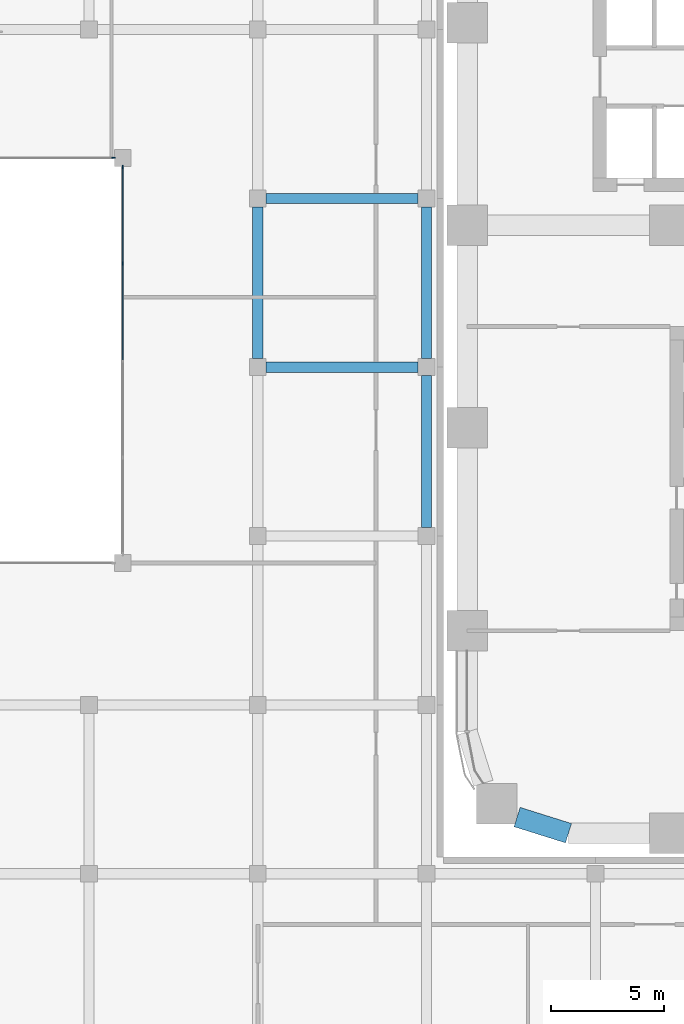
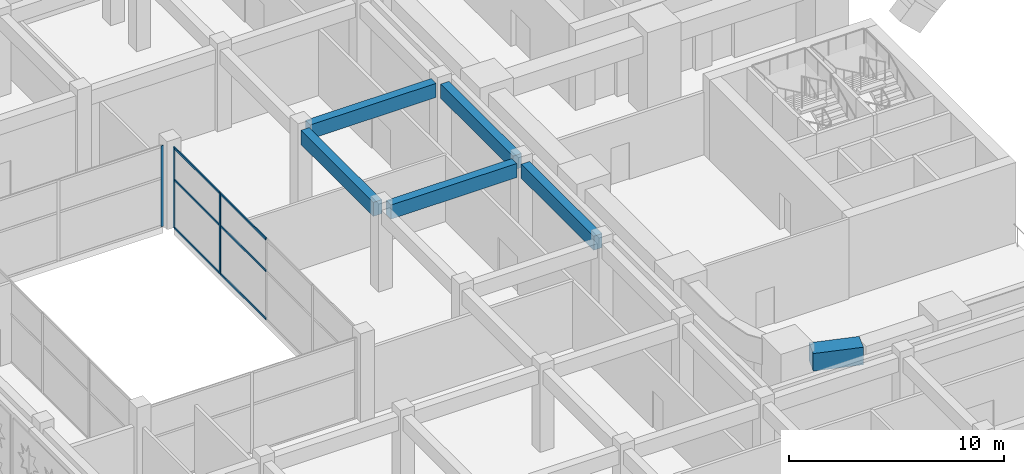
# One storey, part 4 of 40: 9 members, 6 beams, 2 elements without a shape of their own.
"""IFC4 building model written with IfcOpenShell, lengths in metres."""

from ifc_helpers import new_model, si_unit, direction, frame, origin, origin_2d, place, context, subcontext, project, spatial, rectangle, extrude, material, layer, layer_set, material_profile, profile_set, type_object, element, aggregate, save


model = new_model("IFC4")

# Units and contexts
model_context = context("Model", 3, precision=1e-05, world=origin(), true_north=direction((0.0, 1.0)))
body_context = subcontext(model_context, "Body", "Model", "MODEL_VIEW")
ifc_project = project(units=[si_unit("LENGTHUNIT", "METRE"), si_unit("AREAUNIT", "SQUARE_METRE"), si_unit("VOLUMEUNIT", "CUBIC_METRE"), si_unit("PLANEANGLEUNIT", "RADIAN"), si_unit("MASSUNIT", "GRAM", prefix="KILO")], contexts=[model_context])

# Site, building, storey
site_placement = place(None, origin())
site = spatial("IfcSite", under=ifc_project, at=site_placement, CompositionType="ELEMENT")
building_placement = place(site_placement, origin())
building = spatial("IfcBuilding", under=site, at=building_placement, Name="Tessera Arch", CompositionType="ELEMENT")
storey_placement = place(building_placement, frame((0.0, 0.0, 21.0)))
storey = spatial("IfcBuildingStorey", under=building, at=storey_placement, Name="L03", CompositionType="ELEMENT", Elevation=21.0)

# Curtain wall, members
ifc_material_1 = material(Name="Aluminium and clear glass", Category="aluminium")
ifc_layer = layer(ifc_material_1, 0.1201171875)
ifc_layer_set = layer_set([ifc_layer], Name="Courtyard curtain wall")
curtain_wall_type = type_object("IfcCurtainWallType", Name="Courtyard curtain wall", PredefinedType="NOTDEFINED", material=ifc_layer_set)
curtain_wall_1_placement = place(storey_placement, origin())
curtain_wall_1 = element("IfcCurtainWall", 1, at=curtain_wall_1_placement, inside=storey, type_object=curtain_wall_type, Name="Courtyard curtain wall L03 2", PredefinedType="NOTDEFINED")
ifc_material_2 = material(Name="Aluminium alloy anodised", Category="aluminium")
ifc_material_profile_1 = material_profile(ifc_material_2, rectangle(XDim=0.06005859375, YDim=0.14990234375, at=origin_2d()), Name="Courtyard mullion")
ifc_profile_set_1 = profile_set([ifc_material_profile_1], Name="Aluminium alloy anodised")
member_type_1 = type_object("IfcMemberType", Name="Courtyard mullion", PredefinedType="MULLION", material=ifc_profile_set_1)
member_1_placement = place(storey_placement, frame((-15.300048828125, 25.3125, 0.0), z_axis=(0.0, 0.0, 1.0), x_axis=(-1.0, 0.0, 0.0)))
member_1 = element("IfcMember", 2, at=member_1_placement, type_object=member_type_1, Name="MCW1 mullion 4", PredefinedType="MULLION", context=body_context, shape_type="SweptSolid", body=[
    extrude(rectangle(XDim=0.06005859375, YDim=0.14990234375, at=origin_2d()), origin(), (0.0, 0.0, 1.0), 4.590087890625),
])
member_2_placement = place(storey_placement, frame((-15.300048828125, 29.594970703125, 0.0), z_axis=(0.0, 0.0, 1.0), x_axis=(-1.0, 0.0, 0.0)))
member_2 = element("IfcMember", 3, at=member_2_placement, type_object=member_type_1, Name="MCW1 mullion 5", PredefinedType="MULLION", context=body_context, shape_type="SweptSolid", body=[
    extrude(rectangle(XDim=0.06005859375, YDim=0.14990234375, at=origin_2d()), origin(), (0.0, 0.0, 1.0), 4.590087890625),
])

# Curtain wall, member
curtain_wall_2_placement = place(storey_placement, origin())
curtain_wall_2 = element("IfcCurtainWall", 4, at=curtain_wall_2_placement, inside=storey, type_object=curtain_wall_type, Name="Courtyard curtain wall L03 3", PredefinedType="NOTDEFINED")
member_3_placement = place(storey_placement, frame((-15.705078125, 30.0, 0.0), z_axis=(0.0, 0.0, 1.0), x_axis=(0.0, -1.0, 0.0)))
member_3 = element("IfcMember", 5, at=member_3_placement, type_object=member_type_1, Name="MCW1 mullion 1", PredefinedType="MULLION", context=body_context, shape_type="SweptSolid", body=[
    extrude(rectangle(XDim=0.06005859375, YDim=0.14990234375, at=origin_2d()), origin(), (0.0, 0.0, 1.0), 4.590087890625),
])
aggregate(curtain_wall_2, [member_3])

# Member
ifc_material_3 = material(Name="Aluminium alloy anodised", Category="aluminium")
ifc_material_profile_2 = material_profile(ifc_material_3, rectangle(XDim=0.06005859375, YDim=0.1201171875, at=origin_2d()), Name="Courtyard transom")
ifc_profile_set_2 = profile_set([ifc_material_profile_2], Name="Aluminium alloy anodised")
member_type_2 = type_object("IfcMemberType", Name="Courtyard transom", PredefinedType="USERDEFINED", material=ifc_profile_set_2)
member_4_placement = place(storey_placement, frame((-15.300048828125, 21.030029296875, 0.030029296875), z_axis=(0.0, 1.0, 0.0), x_axis=(-1.0, 0.0, 0.0)))
member_4 = element("IfcMember", 6, at=member_4_placement, type_object=member_type_2, Name="MCW1 transom 3.1", ObjectType="TRANSOM", PredefinedType="USERDEFINED", context=body_context, shape_type="SweptSolid", body=[
    extrude(rectangle(XDim=0.06005859375, YDim=0.1201171875, at=origin_2d()), origin(), (0.0, 0.0, 1.0), 4.25244140625),
])

member_5_placement = place(storey_placement, frame((-15.300048828125, 21.030029296875, 2.75390625), z_axis=(0.0, 1.0, 0.0), x_axis=(-1.0, 0.0, 0.0)))
member_5 = element("IfcMember", 7, at=member_5_placement, type_object=member_type_2, Name="MCW1 transom 3.2", ObjectType="TRANSOM", PredefinedType="USERDEFINED", context=body_context, shape_type="SweptSolid", body=[
    extrude(rectangle(XDim=0.06005859375, YDim=0.1201171875, at=origin_2d()), origin(), (0.0, 0.0, 1.0), 4.25244140625),
])

member_6_placement = place(storey_placement, frame((-15.300048828125, 21.030029296875, 4.56005859375), z_axis=(0.0, 1.0, 0.0), x_axis=(-1.0, 0.0, 0.0)))
member_6 = element("IfcMember", 8, at=member_6_placement, type_object=member_type_2, Name="MCW1 transom 3.3", ObjectType="TRANSOM", PredefinedType="USERDEFINED", context=body_context, shape_type="SweptSolid", body=[
    extrude(rectangle(XDim=0.06005859375, YDim=0.1201171875, at=origin_2d()), origin(), (0.0, 0.0, 1.0), 4.25244140625),
])

member_7_placement = place(storey_placement, frame((-15.300048828125, 25.342529296875, 0.030029296875), z_axis=(0.0, 1.0, 0.0), x_axis=(-1.0, 0.0, 0.0)))
member_7 = element("IfcMember", 9, at=member_7_placement, type_object=member_type_2, Name="MCW1 transom 4.1", ObjectType="TRANSOM", PredefinedType="USERDEFINED", context=body_context, shape_type="SweptSolid", body=[
    extrude(rectangle(XDim=0.06005859375, YDim=0.1201171875, at=origin_2d()), origin(), (0.0, 0.0, 1.0), 4.222412109375),
])

member_8_placement = place(storey_placement, frame((-15.300048828125, 25.342529296875, 2.75390625), z_axis=(0.0, 1.0, 0.0), x_axis=(-1.0, 0.0, 0.0)))
member_8 = element("IfcMember", 10, at=member_8_placement, type_object=member_type_2, Name="MCW1 transom 4.2", ObjectType="TRANSOM", PredefinedType="USERDEFINED", context=body_context, shape_type="SweptSolid", body=[
    extrude(rectangle(XDim=0.06005859375, YDim=0.1201171875, at=origin_2d()), origin(), (0.0, 0.0, 1.0), 4.222412109375),
])

member_9_placement = place(storey_placement, frame((-15.300048828125, 25.342529296875, 4.56005859375), z_axis=(0.0, 1.0, 0.0), x_axis=(-1.0, 0.0, 0.0)))
member_9 = element("IfcMember", 11, at=member_9_placement, type_object=member_type_2, Name="MCW1 transom 4.3", ObjectType="TRANSOM", PredefinedType="USERDEFINED", context=body_context, shape_type="SweptSolid", body=[
    extrude(rectangle(XDim=0.06005859375, YDim=0.1201171875, at=origin_2d()), origin(), (0.0, 0.0, 1.0), 4.222412109375),
])

aggregate(curtain_wall_1, [member_1, member_2, member_4, member_5, member_6, member_7, member_8, member_9])

# Beams
ifc_material_4 = material(Name="Concrete C40/50", Category="concrete")
ifc_material_profile_3 = material_profile(ifc_material_4, rectangle(XDim=0.449951171875, YDim=0.800048828125, at=origin_2d()), Name="Museum beam 450 x 800 Concrete C40/50")
ifc_profile_set_3 = profile_set([ifc_material_profile_3], Name="Concrete C40/50")
beam_type_1 = type_object("IfcBeamType", Name="Museum beam 450 x 800 Concrete C40/50", PredefinedType="BEAM", material=ifc_profile_set_3)
for number, where, z_axis, x_axis, name in (
    (12, (-9.300048828125, 21.074951171875, 4.18994140625), (0.0, 1.0, 0.0), (-1.0, 0.0, 0.0), "Museum beam L03 29"),
    (13, (-1.800048828125, 13.574951171875, 4.18994140625), (0.0, 1.0, 0.0), (-1.0, 0.0, 0.0), "Museum beam L03 40"),
    (14, (-1.800048828125, 21.074951171875, 4.18994140625), (0.0, 1.0, 0.0), (-1.0, 0.0, 0.0), "Museum beam L03 41"),
    (15, (-8.925048828125, 20.699951171875, 4.18994140625), (1.0, 0.0, 0.0), (0.0, 1.0, 0.0), "Museum beam L03 74"),
    (16, (-8.925048828125, 28.199951171875, 4.18994140625), (1.0, 0.0, 0.0), (0.0, 1.0, 0.0), "Museum beam L03 75"),
):
    element("IfcBeam", number, at=place(storey_placement, frame(where, z_axis=z_axis, x_axis=x_axis)), inside=storey, type_object=beam_type_1, Name=name, PredefinedType="BEAM", context=body_context, shape_type="SweptSolid", body=[
        extrude(rectangle(XDim=0.449951171875, YDim=0.800048828125, at=origin_2d()), origin(), (0.0, 0.0, 1.0), 6.75),
    ])
ifc_material_5 = material(Name="Concrete C80/95", Category="concrete")
ifc_material_profile_4 = material_profile(ifc_material_5, rectangle(XDim=0.89990234375, YDim=1.0, at=origin_2d()), Name="RC spandrel beam 900 x 1000 Concrete C80/95")
ifc_profile_set_4 = profile_set([ifc_material_profile_4], Name="Concrete C80/95")
beam_type_2 = type_object("IfcBeamType", Name="RC spandrel beam 900 x 1000 Concrete C80/95", PredefinedType="BEAM", material=ifc_profile_set_4)
beam_placement = place(storey_placement, frame((2.218017578125, 0.716796875, 4.050048828125), z_axis=(0.954041251279, -0.299675309057, 0.0), x_axis=(0.299675309057, 0.954041251279, 0.0)))
element("IfcBeam", 17, at=beam_placement, inside=storey, type_object=beam_type_2, Name="Spandrel beam L03 S0.0/0.1", PredefinedType="BEAM", context=body_context, shape_type="SweptSolid", body=[
    extrude(rectangle(XDim=0.89990234375, YDim=1.0, at=origin_2d()), origin(), (0.0, 0.0, 1.0), 2.391845703125),
])

save(model, "model.ifc")
